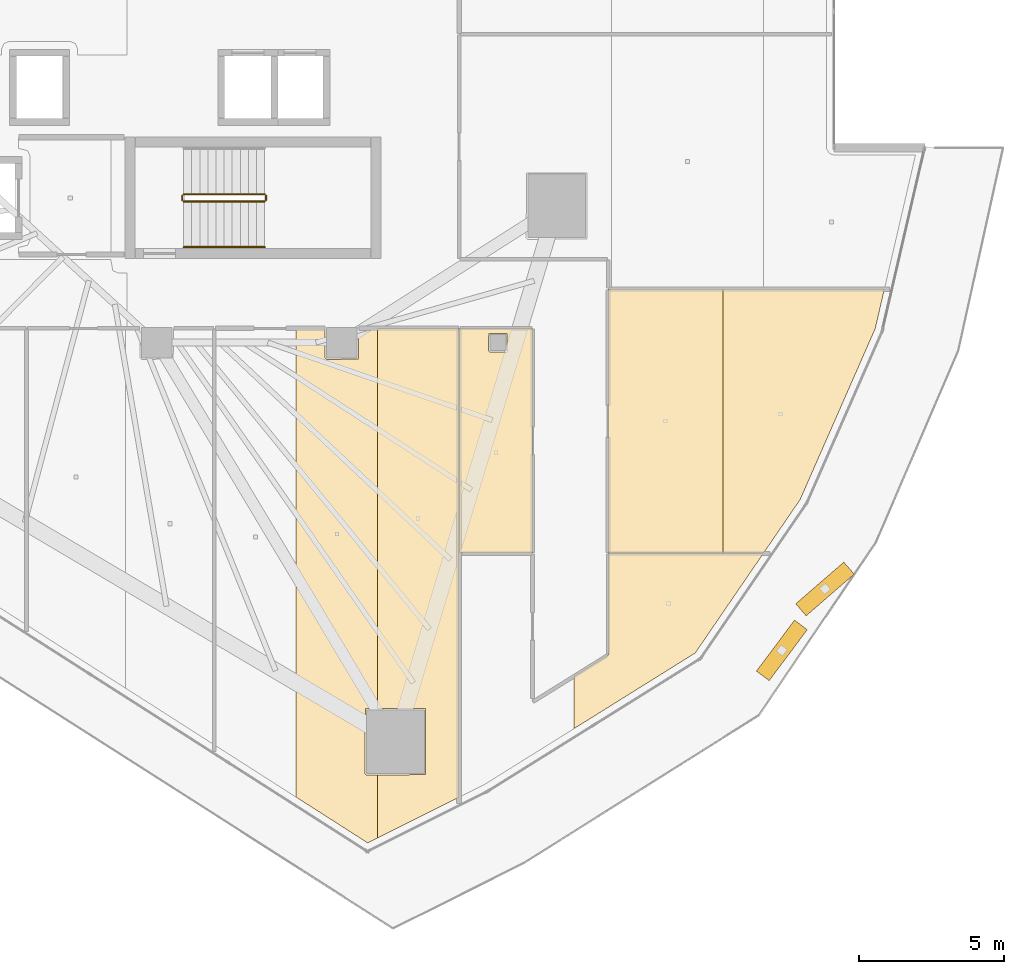
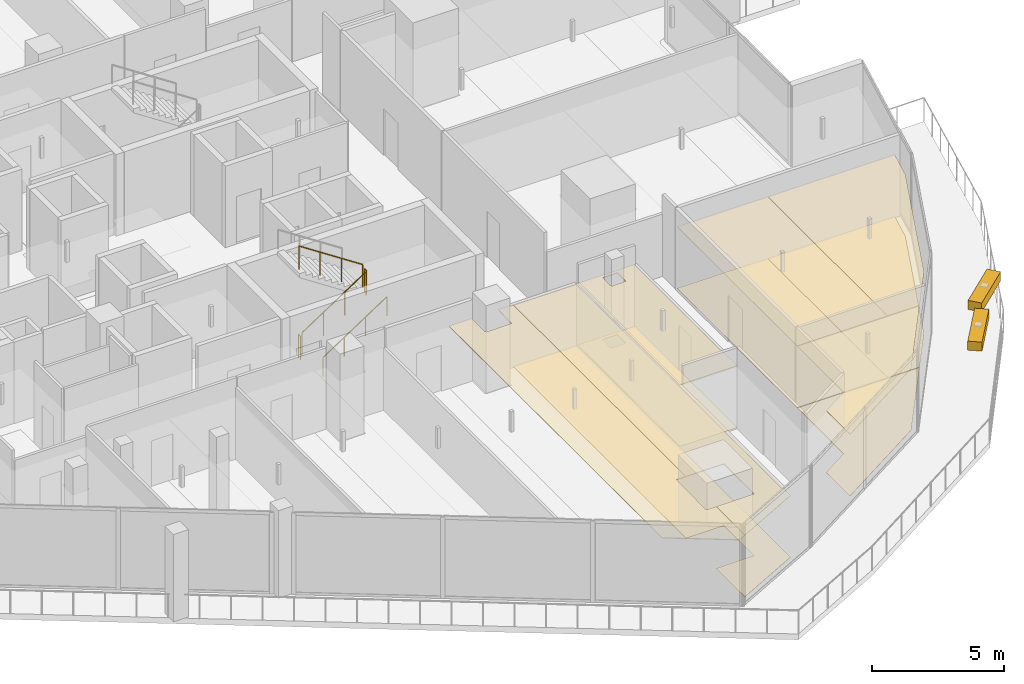
# One storey, part 32 of 35: 11 coverings, 5 railings, 2 shading devices.
"""IFC4 building model written with IfcOpenShell, lengths in metres."""

from ifc_helpers import new_model, si_unit, direction, frame, origin, origin_2d, place, context, subcontext, project, spatial, polyline, rectangle, circle, outline, extrude, material, layer, layer_set, type_object, element, save


model = new_model("IFC4")

# Units and contexts
model_context = context("Model", 3, precision=1e-05, world=origin(), true_north=direction((0.0, 1.0)))
body_context = subcontext(model_context, "Body", "Model", "MODEL_VIEW")
ifc_project = project(units=[si_unit("LENGTHUNIT", "METRE"), si_unit("AREAUNIT", "SQUARE_METRE"), si_unit("VOLUMEUNIT", "CUBIC_METRE"), si_unit("PLANEANGLEUNIT", "RADIAN"), si_unit("MASSUNIT", "GRAM", prefix="KILO")], contexts=[model_context])

# Site, building, storey
site_placement = place(None, origin())
site = spatial("IfcSite", under=ifc_project, at=site_placement, CompositionType="ELEMENT")
building_placement = place(site_placement, origin())
building = spatial("IfcBuilding", under=site, at=building_placement, Name="Qorvath Tower", CompositionType="ELEMENT")
storey_placement = place(building_placement, frame((0.0, 0.0, 166.5)))
storey = spatial("IfcBuildingStorey", under=building, at=storey_placement, Name="L38", CompositionType="ELEMENT", Elevation=166.5)

# Coverings
ifc_material_1 = material(Name="Acoustic mineral fibre ceiling tile", Category="gypsum")
ifc_layer_1 = layer(ifc_material_1, 0.030029296875)
ifc_layer_set_1 = layer_set([ifc_layer_1], Name="COV-CEIL")
covering_type_1 = type_object("IfcCoveringType", Name="COV-CEIL", PredefinedType="CEILING", material=ifc_layer_set_1)
covering_1_placement = place(storey_placement, frame((0.0, 0.0, 2.85009765625)))
element("IfcCovering", 1, at=covering_1_placement, inside=storey, type_object=covering_type_1, Name="L38 Suspended Acoustic Ceiling 026", PredefinedType="CEILING", context=body_context, shape_type="SweptSolid", body=[
    extrude(outline(polyline([(-15.9677734375, -28.583251953125), (-15.9677734375, -26.40283203125), (-16.34423828125, -26.406005859375), (-16.404296875, -26.34619140625), (-16.38671875, -24.103759765625), (-15.9677734375, -24.103759765625), (-15.9677734375, -10.962890625), (-16.614990234375, -10.962890625), (-16.632568359375, -12.017333984375), (-17.72509765625, -12.034912109375), (-17.784912109375, -11.97509765625), (-17.784912109375, -10.962890625), (-18.780517578125, -10.962890625), (-18.780517578125, -27.167724609375), (-16.30322265625, -28.7509765625), (-15.9677734375, -28.583251953125)])), origin(), (0.0, 0.0, 1.0), 0.030029296875),
])
covering_2_placement = place(storey_placement, frame((0.0, 0.0, 2.85009765625)))
element("IfcCovering", 2, at=covering_2_placement, inside=storey, type_object=covering_type_1, Name="L38 Suspended Acoustic Ceiling 027", PredefinedType="CEILING", context=body_context, shape_type="SweptSolid", body=[
    extrude(outline(polyline([(-13.155029296875, -27.177001953125), (-13.155029296875, -10.962890625), (-15.9677734375, -10.962890625), (-15.9677734375, -24.103759765625), (-14.3017578125, -24.103759765625), (-14.3017578125, -26.388427734375), (-15.9677734375, -26.40283203125), (-15.9677734375, -28.583251953125), (-13.155029296875, -27.177001953125)])), origin(), (0.0, 0.0, 1.0), 0.030029296875),
])
covering_3_placement = place(storey_placement, frame((0.0, 0.0, 2.85009765625)))
element("IfcCovering", 3, at=covering_3_placement, inside=storey, type_object=covering_type_1, Name="L38 Suspended Acoustic Ceiling 029", PredefinedType="CEILING", context=body_context, shape_type="SweptSolid", body=[
    extrude(outline(polyline([(-9.174072265625, -22.991943359375), (-9.174072265625, -24.7998046875), (-4.979736328125, -22.182861328125), (-2.63232421875, -18.7490234375), (-7.987060546875, -18.7490234375), (-7.987060546875, -22.25048828125), (-9.174072265625, -22.991943359375)])), origin(), (0.0, 0.0, 1.0), 0.030029296875),
])
covering_4_placement = place(storey_placement, frame((0.0, 0.0, 2.85009765625)))
element("IfcCovering", 4, at=covering_4_placement, inside=storey, type_object=covering_type_1, Name="L38 Suspended Acoustic Ceiling 030", PredefinedType="CEILING", context=body_context, shape_type="SweptSolid", body=[
    extrude(outline(polyline([(-7.987060546875, -18.731201171875), (-4.01611328125, -18.731201171875), (-4.01611328125, -9.6064453125), (-7.987060546875, -9.6064453125), (-7.987060546875, -18.731201171875)])), origin(), (0.0, 0.0, 1.0), 0.030029296875),
])
covering_5_placement = place(storey_placement, frame((0.0, 0.0, 2.85009765625)))
element("IfcCovering", 5, at=covering_5_placement, inside=storey, type_object=covering_type_1, Name="L38 Suspended Acoustic Ceiling 031", PredefinedType="CEILING", context=body_context, shape_type="SweptSolid", body=[
    extrude(outline(polyline([(-4.01611328125, -9.6064453125), (-4.01611328125, -18.731201171875), (-2.619873046875, -18.731201171875), (-1.352294921875, -16.876708984375), (1.243408203125, -10.964599609375), (1.558349609375, -9.6064453125), (-4.01611328125, -9.6064453125)])), origin(), (0.0, 0.0, 1.0), 0.030029296875),
])
covering_6_placement = place(storey_placement, frame((0.0, 0.0, 2.85009765625)))
element("IfcCovering", 6, at=covering_6_placement, inside=storey, type_object=covering_type_1, Name="L38 Suspended Acoustic Ceiling 032", PredefinedType="CEILING", context=body_context, shape_type="SweptSolid", body=[
    extrude(outline(polyline([(-10.613037109375, -18.731201171875), (-10.613037109375, -10.962890625), (-13.136962890625, -10.962890625), (-13.136962890625, -18.731201171875), (-10.613037109375, -18.731201171875)]), holes=[polyline([(-12.117431640625, -11.132568359375), (-11.482666015625, -11.132568359375), (-11.482666015625, -11.767333984375), (-12.074951171875, -11.784912109375), (-12.135009765625, -11.72509765625), (-12.117431640625, -11.132568359375)])]), origin(), (0.0, 0.0, 1.0), 0.030029296875),
])
ifc_material_2 = material(Name="Low-VOC modular carpet tile", Category="textile")
ifc_layer_2 = layer(ifc_material_2, 0.014892578125)
ifc_layer_set_2 = layer_set([ifc_layer_2], Name="COV-FLOOR-CPT")
covering_type_2 = type_object("IfcCoveringType", Name="COV-FLOOR-CPT", PredefinedType="FLOORING", material=ifc_layer_set_2)
covering_7_placement = place(storey_placement, origin())
element("IfcCovering", 7, at=covering_7_placement, inside=storey, type_object=covering_type_2, Name="L38 Floor Finish 027", PredefinedType="FLOORING", context=body_context, shape_type="SweptSolid", body=[
    extrude(outline(polyline([(-13.155029296875, -27.177001953125), (-13.155029296875, -10.962890625), (-15.9677734375, -10.962890625), (-15.9677734375, -24.103759765625), (-14.3017578125, -24.103759765625), (-14.3017578125, -26.388427734375), (-15.9677734375, -26.40283203125), (-15.9677734375, -28.583251953125), (-13.155029296875, -27.177001953125)])), origin(), (0.0, 0.0, 1.0), 0.014892578125),
])
covering_8_placement = place(storey_placement, origin())
element("IfcCovering", 8, at=covering_8_placement, inside=storey, type_object=covering_type_2, Name="L38 Floor Finish 029", PredefinedType="FLOORING", context=body_context, shape_type="SweptSolid", body=[
    extrude(outline(polyline([(-9.174072265625, -22.991943359375), (-9.174072265625, -24.7998046875), (-4.979736328125, -22.182861328125), (-2.63232421875, -18.7490234375), (-7.987060546875, -18.7490234375), (-7.987060546875, -22.25048828125), (-9.174072265625, -22.991943359375)])), origin(), (0.0, 0.0, 1.0), 0.014892578125),
])
covering_9_placement = place(storey_placement, origin())
element("IfcCovering", 9, at=covering_9_placement, inside=storey, type_object=covering_type_2, Name="L38 Floor Finish 030", PredefinedType="FLOORING", context=body_context, shape_type="SweptSolid", body=[
    extrude(outline(polyline([(-7.987060546875, -18.731201171875), (-4.01611328125, -18.731201171875), (-4.01611328125, -9.6064453125), (-7.987060546875, -9.6064453125), (-7.987060546875, -18.731201171875)])), origin(), (0.0, 0.0, 1.0), 0.014892578125),
])
covering_10_placement = place(storey_placement, origin())
element("IfcCovering", 10, at=covering_10_placement, inside=storey, type_object=covering_type_2, Name="L38 Floor Finish 031", PredefinedType="FLOORING", context=body_context, shape_type="SweptSolid", body=[
    extrude(outline(polyline([(-4.01611328125, -9.6064453125), (-4.01611328125, -18.731201171875), (-2.619873046875, -18.731201171875), (-1.352294921875, -16.876708984375), (1.243408203125, -10.964599609375), (1.558349609375, -9.6064453125), (-4.01611328125, -9.6064453125)])), origin(), (0.0, 0.0, 1.0), 0.014892578125),
])
covering_11_placement = place(storey_placement, origin())
element("IfcCovering", 11, at=covering_11_placement, inside=storey, type_object=covering_type_2, Name="L38 Floor Finish 032", PredefinedType="FLOORING", context=body_context, shape_type="SweptSolid", body=[
    extrude(outline(polyline([(-10.613037109375, -18.731201171875), (-10.613037109375, -10.962890625), (-13.136962890625, -10.962890625), (-13.136962890625, -18.731201171875), (-10.613037109375, -18.731201171875)]), holes=[polyline([(-12.117431640625, -11.132568359375), (-11.482666015625, -11.132568359375), (-11.482666015625, -11.767333984375), (-12.074951171875, -11.784912109375), (-12.135009765625, -11.72509765625), (-12.117431640625, -11.132568359375)])]), origin(), (0.0, 0.0, 1.0), 0.014892578125),
])

# Railings
ifc_material_3 = material(Name="Painted galvanised steel", Category="steel")
railing_type_1 = type_object("IfcRailingType", Name="RL-STR-GRD", PredefinedType="GUARDRAIL", material=ifc_material_3)
railing_1_placement = place(storey_placement, frame((-22.669921875, -6.570068359375, 0.18408203125)))
element("IfcRailing", 12, at=railing_1_placement, inside=storey, type_object=railing_type_1, Name="L38 TS2 stair guard 1", PredefinedType="GUARDRAIL", context=body_context, shape_type="SweptSolid", body=[
    extrude(circle(Radius=0.02392578125, at=origin_2d()), frame((0.0, 0.0, 1.076171875), z_axis=(0.835575518608, 0.0, 0.549375602573), x_axis=(0.0, 1.0, 0.0)), (0.0, 0.0, 1.0), 3.350830078125),
    extrude(circle(Radius=0.02099609375, at=origin_2d()), origin(), (0.0, 0.0, 1.0), 1.052001953125),
    extrude(circle(Radius=0.02099609375, at=origin_2d()), frame((0.933349609375, 0.0, 0.613525390625)), (0.0, 0.0, 1.0), 1.052001953125),
    extrude(circle(Radius=0.02099609375, at=origin_2d()), frame((1.866455078125, 0.0, 1.227294921875)), (0.0, 0.0, 1.0), 1.052001953125),
    extrude(circle(Radius=0.02099609375, at=origin_2d()), frame((2.7998046875, 0.0, 1.8408203125)), (0.0, 0.0, 1.0), 1.052001953125),
])
railing_2_placement = place(storey_placement, frame((-19.820068359375, -6.52001953125, 2.02490234375)))
element("IfcRailing", 13, at=railing_2_placement, inside=storey, type_object=railing_type_1, Name="L38 TS2 stair guard 2", PredefinedType="GUARDRAIL", context=body_context, shape_type="SweptSolid", body=[
    extrude(circle(Radius=0.02392578125, at=origin_2d()), frame((0.0, 0.0, 1.076171875), z_axis=(0.0, 1.0, 0.0), x_axis=(-1.0, 0.0, 0.0)), (0.0, 0.0, 1.0), 0.14990234375),
    extrude(circle(Radius=0.02099609375, at=origin_2d()), origin(), (0.0, 0.0, 1.0), 1.052001953125),
    extrude(circle(Radius=0.02099609375, at=origin_2d()), frame((0.0, 0.14990234375, 0.0)), (0.0, 0.0, 1.0), 1.052001953125),
])
railing_3_placement = place(storey_placement, frame((-19.8701171875, -6.320068359375, 2.208984375)))
element("IfcRailing", 14, at=railing_3_placement, inside=storey, type_object=railing_type_1, Name="L38 TS2 stair guard 3", PredefinedType="GUARDRAIL", context=body_context, shape_type="SweptSolid", body=[
    extrude(circle(Radius=0.02392578125, at=origin_2d()), frame((0.0, 0.0, 1.076171875), z_axis=(-0.835542071712, 0.0, 0.549426470421), x_axis=(0.0, -1.0, 0.0)), (0.0, 0.0, 1.0), 3.350830078125),
    extrude(circle(Radius=0.02099609375, at=origin_2d()), origin(), (0.0, 0.0, 1.0), 1.052001953125),
    extrude(circle(Radius=0.02099609375, at=origin_2d()), frame((-0.933349609375, 0.0, 0.61376953125)), (0.0, 0.0, 1.0), 1.052001953125),
    extrude(circle(Radius=0.02099609375, at=origin_2d()), frame((-1.866455078125, 0.0, 1.227294921875)), (0.0, 0.0, 1.0), 1.052001953125),
    extrude(circle(Radius=0.02099609375, at=origin_2d()), frame((-2.7998046875, 0.0, 1.841064453125)), (0.0, 0.0, 1.0), 1.052001953125),
])
railing_4_placement = place(storey_placement, frame((-22.719970703125, -6.52001953125, 0.0)))
element("IfcRailing", 15, at=railing_4_placement, inside=storey, type_object=railing_type_1, Name="L38 TS2 stair guard 4", PredefinedType="GUARDRAIL", context=body_context, shape_type="SweptSolid", body=[
    extrude(circle(Radius=0.02392578125, at=origin_2d()), frame((0.0, 0.0, 1.076171875), z_axis=(0.0, 1.0, 0.0), x_axis=(-1.0, 0.0, 0.0)), (0.0, 0.0, 1.0), 0.14990234375),
    extrude(circle(Radius=0.02099609375, at=origin_2d()), origin(), (0.0, 0.0, 1.0), 1.052001953125),
    extrude(circle(Radius=0.02099609375, at=origin_2d()), frame((0.0, 0.14990234375, 0.0)), (0.0, 0.0, 1.0), 1.052001953125),
])
ifc_material_4 = material(Name="Brushed stainless steel AISI 304", Category="steel")
railing_type_2 = type_object("IfcRailingType", Name="RL-STR-HND", PredefinedType="HANDRAIL", material=ifc_material_4)
railing_5_placement = place(storey_placement, frame((-22.669921875, -8.14990234375, 0.18408203125)))
element("IfcRailing", 16, at=railing_5_placement, inside=storey, type_object=railing_type_2, Name="L38 TS2 stair handrail 1", PredefinedType="HANDRAIL", context=body_context, shape_type="SweptSolid", body=[
    extrude(circle(Radius=0.02392578125, at=origin_2d()), frame((0.0, 0.0, 0.8759765625), z_axis=(0.835575518608, 0.0, 0.549375602573), x_axis=(0.0, 1.0, 0.0)), (0.0, 0.0, 1.0), 3.350830078125),
    extrude(circle(Radius=0.02099609375, at=origin_2d()), origin(), (0.0, 0.0, 1.0), 0.851806640625),
    extrude(circle(Radius=0.02099609375, at=origin_2d()), frame((0.933349609375, 0.0, 0.613525390625)), (0.0, 0.0, 1.0), 0.851806640625),
    extrude(circle(Radius=0.02099609375, at=origin_2d()), frame((1.866455078125, 0.0, 1.227294921875)), (0.0, 0.0, 1.0), 0.851806640625),
    extrude(circle(Radius=0.02099609375, at=origin_2d()), frame((2.7998046875, 0.0, 1.8408203125)), (0.0, 0.0, 1.0), 0.851806640625),
])

# Shading devices
ifc_material_5 = material(Name="Anodised bronze-champagne aluminium", Category="aluminium")
shading_device_type = type_object("IfcShadingDeviceType", Name="SD-LOUVRE", PredefinedType="JALOUSIE", material=ifc_material_5)
for number, where, z_axis, x_axis, name in (
    (17, (-1.986083984375, -22.09423828125, 3.360107421875), (0.0, 0.0, 1.0), (0.598468631429, 0.801146239582, 0.0), "Sinusoidal Wave Louvre Blade L38-03"),
    (18, (-0.494140625, -19.969482421875, 3.360107421875), (0.0, 0.0, 1.0), (0.755656884126, 0.654967688877, 0.0), "Sinusoidal Wave Louvre Blade L38-04"),
):
    element("IfcShadingDevice", number, at=place(storey_placement, frame(where, z_axis=z_axis, x_axis=x_axis)), inside=storey, type_object=shading_device_type, Name=name, PredefinedType="NOTDEFINED", context=body_context, shape_type="SweptSolid", body=[
        extrude(rectangle(XDim=2.199951171875, YDim=0.550048828125, at=origin_2d()), origin(), (0.0, 0.0, 1.0), 0.419921875),
    ])

save(model, "model.ifc")
